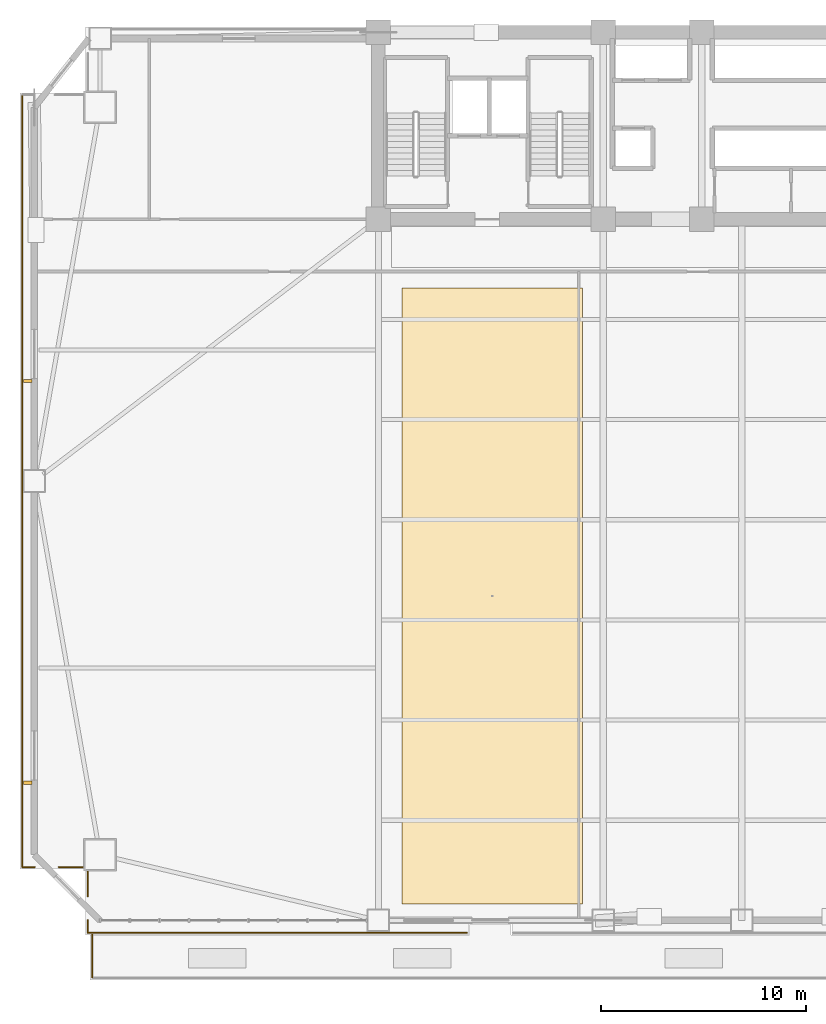
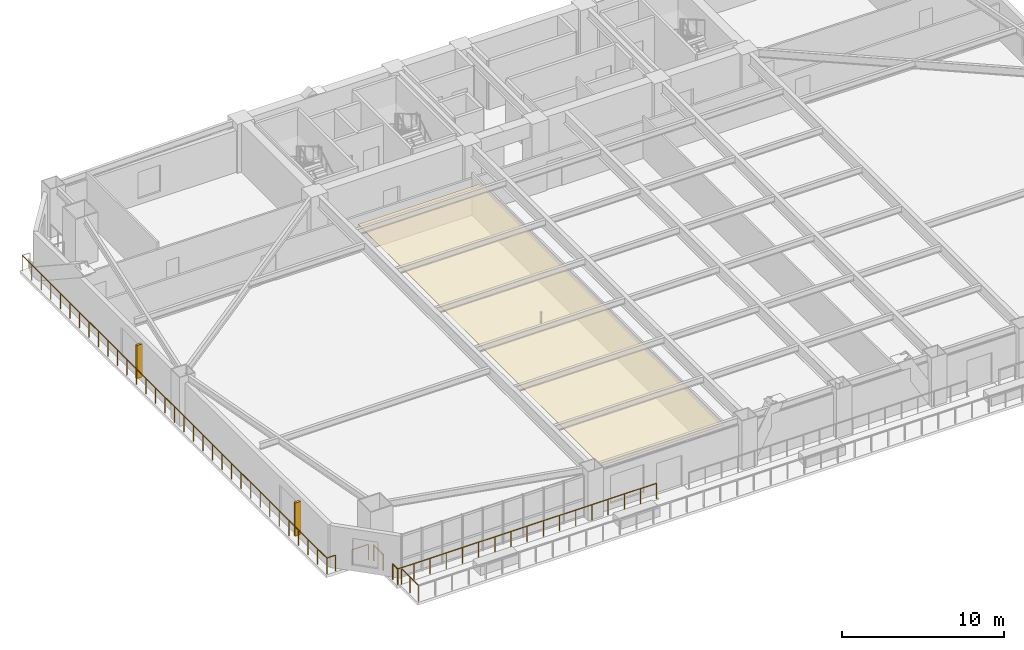
# One storey, part 13 of 17: 7 railings, 2 shading devices, 1 covering.
"""IFC4 building model written with IfcOpenShell, lengths in metres."""

from ifc_helpers import new_model, si_unit, direction, frame, origin, origin_2d, place, context, subcontext, project, spatial, polyline, rectangle, outline, extrude, source, transform, mapped, material, layer, layer_set, type_object, element, save


model = new_model("IFC4")

# Units and contexts
model_context = context("Model", 3, precision=1e-05, world=origin(), true_north=direction((0.0, 1.0)))
body_context = subcontext(model_context, "Body", "Model", "MODEL_VIEW")
ifc_project = project(units=[si_unit("LENGTHUNIT", "METRE"), si_unit("AREAUNIT", "SQUARE_METRE"), si_unit("VOLUMEUNIT", "CUBIC_METRE"), si_unit("PLANEANGLEUNIT", "RADIAN"), si_unit("MASSUNIT", "GRAM", prefix="KILO")], contexts=[model_context])

# Site, building, storey
site_placement = place(None, origin())
site = spatial("IfcSite", under=ifc_project, at=site_placement, CompositionType="ELEMENT")
building_placement = place(site_placement, origin())
building = spatial("IfcBuilding", under=site, at=building_placement, Name="Giltprow Tower", CompositionType="ELEMENT")
storey_placement = place(building_placement, frame((0.0, 0.0, 25.39990234375)))
storey = spatial("IfcBuildingStorey", under=building, at=storey_placement, Name="L06", CompositionType="ELEMENT", Elevation=25.39990234375)

# Covering
ifc_material_1 = material(Name="Acoustic mineral fibre", Category="gypsum")
ifc_layer = layer(ifc_material_1, 0.030029296875, Name="Acoustic mineral fibre")
ifc_layer_set = layer_set([ifc_layer], Name="Acoustic mineral fibre")
covering_type = type_object("IfcCoveringType", Name="COV-CLG-ACOUSTIC", PredefinedType="CEILING", material=ifc_layer_set)
covering_placement = place(storey_placement, frame((0.0, 0.0, 2.72021484375)))
element("IfcCovering", 1, at=covering_placement, inside=storey, type_object=covering_type, Name="L06 Office Acoustic Ceiling", PredefinedType="CEILING", context=body_context, shape_type="SweptSolid", body=[
    extrude(outline(polyline([(21.0, 4.10009765625), (29.800048828125, 4.10009765625), (29.800048828125, 34.10009765625), (21.0, 34.10009765625), (21.0, 4.10009765625)])), origin(), (0.0, 0.0, 1.0), 0.02978515625),
])

# Railings
ifc_material_2 = material(Name="Anodized bronze", Category="metal")
railing_type_1 = type_object("IfcRailingType", Name="RAIL-BALC-GUARD-1200", PredefinedType="BALUSTRADE", material=ifc_material_2)
railing_1_placement = place(storey_placement, frame((5.699951171875, 2.699951171875, 0.0)))
element("IfcRailing", 2, at=railing_1_placement, inside=storey, type_object=railing_type_1, Name="L06 Corner Apron Edge Balustrade 1", PredefinedType="BALUSTRADE", context=body_context, shape_type="SweptSolid", body=[
    extrude(rectangle(XDim=0.048095703125, YDim=0.048095703125, at=origin_2d()), frame((0.0, 0.0, 1.17578125), z_axis=(0.0, 1.0, 0.0), x_axis=(-1.0, 0.0, 0.0)), (0.0, 0.0, 1.0), 0.6201171875),
    extrude(rectangle(XDim=0.0419921875, YDim=0.0419921875, at=origin_2d()), origin(), (0.0, 0.0, 1.0), 1.15185546875),
    extrude(rectangle(XDim=0.0419921875, YDim=0.0419921875, at=origin_2d()), frame((0.0, 0.6201171875, 0.0)), (0.0, 0.0, 1.0), 1.15185546875),
])
railing_2_placement = place(storey_placement, frame((5.699951171875, 4.47998046875, 0.0)))
element("IfcRailing", 3, at=railing_2_placement, inside=storey, type_object=railing_type_1, Name="L06 Corner Apron Edge Balustrade 2", PredefinedType="BALUSTRADE", context=body_context, shape_type="SweptSolid", body=[
    extrude(rectangle(XDim=0.048095703125, YDim=0.048095703125, at=origin_2d()), frame((0.0, 0.0, 1.17578125), z_axis=(0.0, 1.0, 0.0), x_axis=(-1.0, 0.0, 0.0)), (0.0, 0.0, 1.0), 1.18505859375),
    extrude(rectangle(XDim=0.0419921875, YDim=0.0419921875, at=origin_2d()), origin(), (0.0, 0.0, 1.0), 1.15185546875),
    extrude(rectangle(XDim=0.0419921875, YDim=0.0419921875, at=origin_2d()), frame((0.0, 1.18505859375, 0.0)), (0.0, 0.0, 1.0), 1.15185546875),
])
railing_3_placement = place(storey_placement, frame((5.465087890625, 5.89990234375, 0.0)))
element("IfcRailing", 4, at=railing_3_placement, inside=storey, type_object=railing_type_1, Name="L06 Corner Apron Edge Balustrade 3", PredefinedType="BALUSTRADE", context=body_context, shape_type="SweptSolid", body=[
    extrude(rectangle(XDim=0.048095703125, YDim=0.048095703125, at=origin_2d()), frame((0.0, 0.0, 1.17578125), z_axis=(-1.0, 0.0, 0.0), x_axis=(0.0, -1.0, 0.0)), (0.0, 0.0, 1.0), 1.18505859375),
    extrude(rectangle(XDim=0.0419921875, YDim=0.0419921875, at=origin_2d()), origin(), (0.0, 0.0, 1.0), 1.15185546875),
    extrude(rectangle(XDim=0.0419921875, YDim=0.0419921875, at=origin_2d()), frame((-1.18505859375, 0.0, 0.0)), (0.0, 0.0, 1.0), 1.15185546875),
])
railing_4_placement = place(storey_placement, frame((3.1201171875, 5.89990234375, 0.0)))
element("IfcRailing", 5, at=railing_4_placement, inside=storey, type_object=railing_type_1, Name="L06 Corner Apron Edge Balustrade 4", PredefinedType="BALUSTRADE", context=body_context, shape_type="SweptSolid", body=[
    extrude(rectangle(XDim=0.048095703125, YDim=0.048095703125, at=origin_2d()), frame((0.0, 0.0, 1.17578125), z_axis=(-1.0, 0.0, 0.0), x_axis=(0.0, -1.0, 0.0)), (0.0, 0.0, 1.0), 0.6201171875),
    extrude(rectangle(XDim=0.0419921875, YDim=0.0419921875, at=origin_2d()), origin(), (0.0, 0.0, 1.0), 1.15185546875),
    extrude(rectangle(XDim=0.0419921875, YDim=0.0419921875, at=origin_2d()), frame((-0.6201171875, 0.0, 0.0)), (0.0, 0.0, 1.0), 1.15185546875),
])
railing_5_placement = place(storey_placement, frame((2.5, 5.89990234375, 0.0)))
element("IfcRailing", 6, at=railing_5_placement, inside=storey, type_object=railing_type_1, Name="L06 Corner Apron Edge Balustrade 5", PredefinedType="BALUSTRADE", context=body_context, shape_type="SweptSolid", body=[
    extrude(rectangle(XDim=0.048095703125, YDim=0.048095703125, at=origin_2d()), frame((0.0, 0.0, 1.17578125), z_axis=(0.0, 1.0, 0.0), x_axis=(-1.0, 0.0, 0.0)), (0.0, 0.0, 1.0), 37.60009765625),
    extrude(rectangle(XDim=0.0419921875, YDim=0.0419921875, at=origin_2d()), origin(), (0.0, 0.0, 1.0), 1.15185546875),
    extrude(rectangle(XDim=0.0419921875, YDim=0.0419921875, at=origin_2d()), frame((0.0, 1.175048828125, 0.0)), (0.0, 0.0, 1.0), 1.15185546875),
    extrude(rectangle(XDim=0.0419921875, YDim=0.0419921875, at=origin_2d()), frame((0.0, 2.35009765625, 0.0)), (0.0, 0.0, 1.0), 1.15185546875),
    extrude(rectangle(XDim=0.0419921875, YDim=0.0419921875, at=origin_2d()), frame((0.0, 3.52490234375, 0.0)), (0.0, 0.0, 1.0), 1.15185546875),
    extrude(rectangle(XDim=0.0419921875, YDim=0.0419921875, at=origin_2d()), frame((0.0, 4.699951171875, 0.0)), (0.0, 0.0, 1.0), 1.15185546875),
    extrude(rectangle(XDim=0.0419921875, YDim=0.0419921875, at=origin_2d()), frame((0.0, 5.875, 0.0)), (0.0, 0.0, 1.0), 1.15185546875),
    extrude(rectangle(XDim=0.0419921875, YDim=0.0419921875, at=origin_2d()), frame((0.0, 7.050048828125, 0.0)), (0.0, 0.0, 1.0), 1.15185546875),
    extrude(rectangle(XDim=0.0419921875, YDim=0.0419921875, at=origin_2d()), frame((0.0, 8.22509765625, 0.0)), (0.0, 0.0, 1.0), 1.15185546875),
    extrude(rectangle(XDim=0.0419921875, YDim=0.0419921875, at=origin_2d()), frame((0.0, 9.39990234375, 0.0)), (0.0, 0.0, 1.0), 1.15185546875),
    extrude(rectangle(XDim=0.0419921875, YDim=0.0419921875, at=origin_2d()), frame((0.0, 10.574951171875, 0.0)), (0.0, 0.0, 1.0), 1.15185546875),
    extrude(rectangle(XDim=0.0419921875, YDim=0.0419921875, at=origin_2d()), frame((0.0, 11.75, 0.0)), (0.0, 0.0, 1.0), 1.15185546875),
    extrude(rectangle(XDim=0.0419921875, YDim=0.0419921875, at=origin_2d()), frame((0.0, 12.925048828125, 0.0)), (0.0, 0.0, 1.0), 1.15185546875),
    extrude(rectangle(XDim=0.0419921875, YDim=0.0419921875, at=origin_2d()), frame((0.0, 14.10009765625, 0.0)), (0.0, 0.0, 1.0), 1.15185546875),
    extrude(rectangle(XDim=0.0419921875, YDim=0.0419921875, at=origin_2d()), frame((0.0, 15.275146484375, 0.0)), (0.0, 0.0, 1.0), 1.15185546875),
    extrude(rectangle(XDim=0.0419921875, YDim=0.0419921875, at=origin_2d()), frame((0.0, 16.449951171875, 0.0)), (0.0, 0.0, 1.0), 1.15185546875),
    extrude(rectangle(XDim=0.0419921875, YDim=0.0419921875, at=origin_2d()), frame((0.0, 17.625, 0.0)), (0.0, 0.0, 1.0), 1.15185546875),
    extrude(rectangle(XDim=0.0419921875, YDim=0.0419921875, at=origin_2d()), frame((0.0, 18.800048828125, 0.0)), (0.0, 0.0, 1.0), 1.15185546875),
    extrude(rectangle(XDim=0.0419921875, YDim=0.0419921875, at=origin_2d()), frame((0.0, 19.97509765625, 0.0)), (0.0, 0.0, 1.0), 1.15185546875),
    extrude(rectangle(XDim=0.0419921875, YDim=0.0419921875, at=origin_2d()), frame((0.0, 21.150146484375, 0.0)), (0.0, 0.0, 1.0), 1.15185546875),
    extrude(rectangle(XDim=0.0419921875, YDim=0.0419921875, at=origin_2d()), frame((0.0, 22.324951171875, 0.0)), (0.0, 0.0, 1.0), 1.15185546875),
    extrude(rectangle(XDim=0.0419921875, YDim=0.0419921875, at=origin_2d()), frame((0.0, 23.5, 0.0)), (0.0, 0.0, 1.0), 1.15185546875),
    extrude(rectangle(XDim=0.0419921875, YDim=0.0419921875, at=origin_2d()), frame((0.0, 24.675048828125, 0.0)), (0.0, 0.0, 1.0), 1.15185546875),
    extrude(rectangle(XDim=0.0419921875, YDim=0.0419921875, at=origin_2d()), frame((0.0, 25.85009765625, 0.0)), (0.0, 0.0, 1.0), 1.15185546875),
    extrude(rectangle(XDim=0.0419921875, YDim=0.0419921875, at=origin_2d()), frame((0.0, 27.025146484375, 0.0)), (0.0, 0.0, 1.0), 1.15185546875),
    extrude(rectangle(XDim=0.0419921875, YDim=0.0419921875, at=origin_2d()), frame((0.0, 28.2001953125, 0.0)), (0.0, 0.0, 1.0), 1.15185546875),
    extrude(rectangle(XDim=0.0419921875, YDim=0.0419921875, at=origin_2d()), frame((0.0, 29.375, 0.0)), (0.0, 0.0, 1.0), 1.15185546875),
    extrude(rectangle(XDim=0.0419921875, YDim=0.0419921875, at=origin_2d()), frame((0.0, 30.550048828125, 0.0)), (0.0, 0.0, 1.0), 1.15185546875),
    extrude(rectangle(XDim=0.0419921875, YDim=0.0419921875, at=origin_2d()), frame((0.0, 31.72509765625, 0.0)), (0.0, 0.0, 1.0), 1.15185546875),
    extrude(rectangle(XDim=0.0419921875, YDim=0.0419921875, at=origin_2d()), frame((0.0, 32.900146484375, 0.0)), (0.0, 0.0, 1.0), 1.15185546875),
    extrude(rectangle(XDim=0.0419921875, YDim=0.0419921875, at=origin_2d()), frame((0.0, 34.0751953125, 0.0)), (0.0, 0.0, 1.0), 1.15185546875),
    extrude(rectangle(XDim=0.0419921875, YDim=0.0419921875, at=origin_2d()), frame((0.0, 35.25, 0.0)), (0.0, 0.0, 1.0), 1.15185546875),
    extrude(rectangle(XDim=0.0419921875, YDim=0.0419921875, at=origin_2d()), frame((0.0, 36.425048828125, 0.0)), (0.0, 0.0, 1.0), 1.15185546875),
    extrude(rectangle(XDim=0.0419921875, YDim=0.0419921875, at=origin_2d()), frame((0.0, 37.60009765625, 0.0)), (0.0, 0.0, 1.0), 1.15185546875),
])
railing_6_placement = place(storey_placement, frame((24.14990234375, 2.699951171875, 0.0)))
element("IfcRailing", 7, at=railing_6_placement, inside=storey, type_object=railing_type_1, Name="L06 Corner Apron Edge Balustrade 21", PredefinedType="BALUSTRADE", context=body_context, shape_type="SweptSolid", body=[
    extrude(rectangle(XDim=0.048095703125, YDim=0.048095703125, at=origin_2d()), frame((0.0, 0.0, 1.17578125), z_axis=(-1.0, 0.0, 0.0), x_axis=(0.0, -1.0, 0.0)), (0.0, 0.0, 1.0), 18.449951171875),
    extrude(rectangle(XDim=0.0419921875, YDim=0.0419921875, at=origin_2d()), origin(), (0.0, 0.0, 1.0), 1.15185546875),
    extrude(rectangle(XDim=0.0419921875, YDim=0.0419921875, at=origin_2d()), frame((-1.153076171875, 0.0, 0.0)), (0.0, 0.0, 1.0), 1.15185546875),
    extrude(rectangle(XDim=0.0419921875, YDim=0.0419921875, at=origin_2d()), frame((-2.30615234375, 0.0, 0.0)), (0.0, 0.0, 1.0), 1.15185546875),
    extrude(rectangle(XDim=0.0419921875, YDim=0.0419921875, at=origin_2d()), frame((-3.45947265625, 0.0, 0.0)), (0.0, 0.0, 1.0), 1.15185546875),
    extrude(rectangle(XDim=0.0419921875, YDim=0.0419921875, at=origin_2d()), frame((-4.612548828125, 0.0, 0.0)), (0.0, 0.0, 1.0), 1.15185546875),
    extrude(rectangle(XDim=0.0419921875, YDim=0.0419921875, at=origin_2d()), frame((-5.765625, 0.0, 0.0)), (0.0, 0.0, 1.0), 1.15185546875),
    extrude(rectangle(XDim=0.0419921875, YDim=0.0419921875, at=origin_2d()), frame((-6.918701171875, 0.0, 0.0)), (0.0, 0.0, 1.0), 1.15185546875),
    extrude(rectangle(XDim=0.0419921875, YDim=0.0419921875, at=origin_2d()), frame((-8.07177734375, 0.0, 0.0)), (0.0, 0.0, 1.0), 1.15185546875),
    extrude(rectangle(XDim=0.0419921875, YDim=0.0419921875, at=origin_2d()), frame((-9.22509765625, 0.0, 0.0)), (0.0, 0.0, 1.0), 1.15185546875),
    extrude(rectangle(XDim=0.0419921875, YDim=0.0419921875, at=origin_2d()), frame((-10.378173828125, 0.0, 0.0)), (0.0, 0.0, 1.0), 1.15185546875),
    extrude(rectangle(XDim=0.0419921875, YDim=0.0419921875, at=origin_2d()), frame((-11.53125, 0.0, 0.0)), (0.0, 0.0, 1.0), 1.15185546875),
    extrude(rectangle(XDim=0.0419921875, YDim=0.0419921875, at=origin_2d()), frame((-12.684326171875, 0.0, 0.0)), (0.0, 0.0, 1.0), 1.15185546875),
    extrude(rectangle(XDim=0.0419921875, YDim=0.0419921875, at=origin_2d()), frame((-13.83740234375, 0.0, 0.0)), (0.0, 0.0, 1.0), 1.15185546875),
    extrude(rectangle(XDim=0.0419921875, YDim=0.0419921875, at=origin_2d()), frame((-14.990478515625, 0.0, 0.0)), (0.0, 0.0, 1.0), 1.15185546875),
    extrude(rectangle(XDim=0.0419921875, YDim=0.0419921875, at=origin_2d()), frame((-16.143798828125, 0.0, 0.0)), (0.0, 0.0, 1.0), 1.15185546875),
    extrude(rectangle(XDim=0.0419921875, YDim=0.0419921875, at=origin_2d()), frame((-17.296875, 0.0, 0.0)), (0.0, 0.0, 1.0), 1.15185546875),
    extrude(rectangle(XDim=0.0419921875, YDim=0.0419921875, at=origin_2d()), frame((-18.449951171875, 0.0, 0.0)), (0.0, 0.0, 1.0), 1.15185546875),
])
railing_type_2 = type_object("IfcRailingType", Name="RAIL-TERR-BAL-1200", PredefinedType="BALUSTRADE", material=ifc_material_2)
railing_7_placement = place(storey_placement, frame((5.919921875, 2.60009765625, 0.0)))
element("IfcRailing", 8, at=railing_7_placement, inside=storey, type_object=railing_type_2, Name="L06 Waterfront Podium Terrace Balustrade Seg 1", PredefinedType="BALUSTRADE", context=body_context, shape_type="SweptSolid", body=[
    extrude(rectangle(XDim=0.048095703125, YDim=0.048095703125, at=origin_2d()), frame((0.0, 0.0, 1.17578125), z_axis=(0.0, -1.0, 0.0), x_axis=(1.0, 0.0, 0.0)), (0.0, 0.0, 1.0), 2.080078125),
    extrude(rectangle(XDim=0.0419921875, YDim=0.0419921875, at=origin_2d()), origin(), (0.0, 0.0, 1.0), 1.15185546875),
    extrude(rectangle(XDim=0.0419921875, YDim=0.0419921875, at=origin_2d()), frame((0.0, -1.0400390625, 0.0)), (0.0, 0.0, 1.0), 1.15185546875),
    extrude(rectangle(XDim=0.0419921875, YDim=0.0419921875, at=origin_2d()), frame((0.0, -2.080078125, 0.0)), (0.0, 0.0, 1.0), 1.15185546875),
])

# Shading devices
shading_device_type = type_object("IfcShadingDeviceType", Name="SHD-FIN-420", PredefinedType="USERDEFINED", material=ifc_material_2)
shared_shape = source(origin(), body_context, "Body", "SweptSolid", [
    extrude(rectangle(XDim=0.419921875, YDim=0.159912109375, at=origin_2d()), origin(), (0.0, 0.0, 1.0), 2.5),
])
for number, where, z_axis, x_axis, name in (
    (9, (2.780029296875, 10.009033203125, 0.35009765625), (0.0, 0.0, 1.0), (1.0, 0.0, 0.0), "L06 W Bronze Vertical Fin 1-1"),
    (10, (2.780029296875, 29.56591796875, 0.35009765625), (0.0, 0.0, 1.0), (1.0, 0.0, 0.0), "L06 W Bronze Vertical Fin 2-1"),
):
    element("IfcShadingDevice", number, at=place(storey_placement, frame(where, z_axis=z_axis, x_axis=x_axis)), inside=storey, type_object=shading_device_type, Name=name, ObjectType="FIN", PredefinedType="USERDEFINED", context=body_context, shape_type="MappedRepresentation", body=[
        mapped(shared_shape, transform((0.0, 0.0, 0.0), x_axis=(1.0, 0.0, 0.0), y_axis=(0.0, 1.0, 0.0), z_axis=(0.0, 0.0, 1.0), scale=1.0)),
    ])

save(model, "model.ifc")
